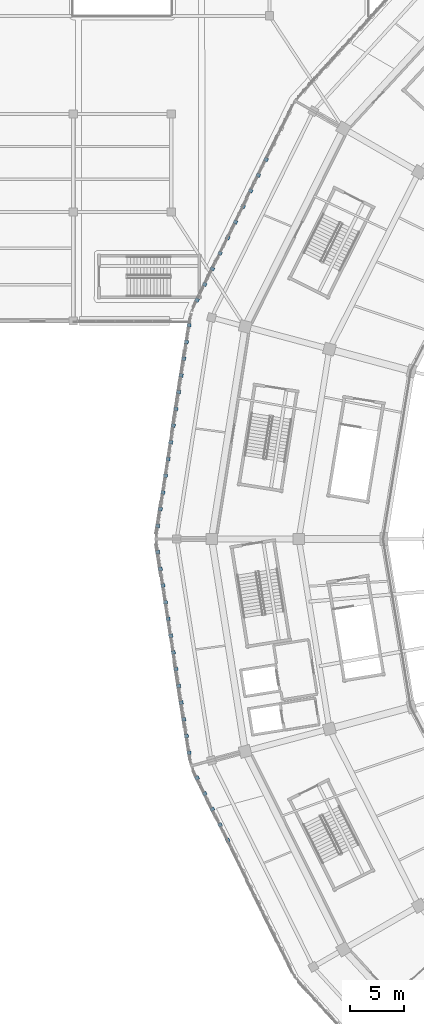
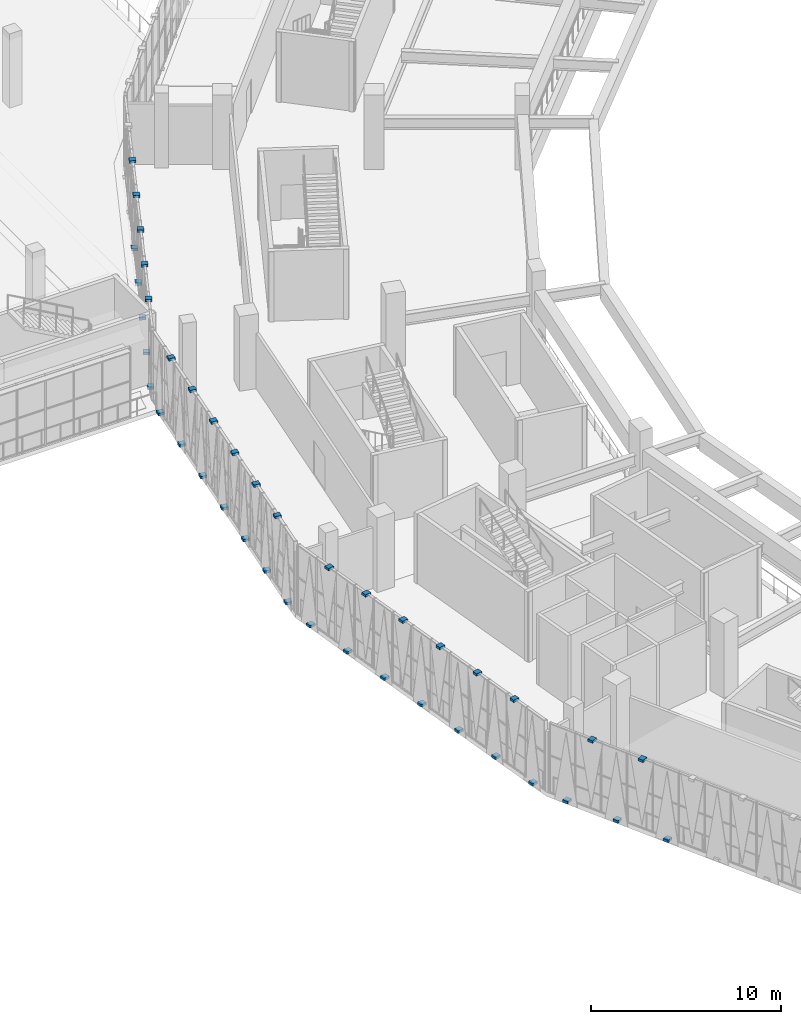
# One storey, part 120 of 179: 41 discrete accessories.
"""IFC4 building model written with IfcOpenShell, lengths in metres."""

from ifc_helpers import new_model, si_unit, direction, frame, origin, origin_2d, place, context, subcontext, project, spatial, rectangle, extrude, material, layer, layer_set, type_object, element, save


model = new_model("IFC4")

# Units and contexts
model_context = context("Model", 3, precision=1e-05, world=origin(), true_north=direction((0.0, 1.0)))
body_context = subcontext(model_context, "Body", "Model", "MODEL_VIEW")
ifc_project = project(units=[si_unit("LENGTHUNIT", "METRE"), si_unit("AREAUNIT", "SQUARE_METRE"), si_unit("VOLUMEUNIT", "CUBIC_METRE"), si_unit("PLANEANGLEUNIT", "RADIAN"), si_unit("MASSUNIT", "GRAM", prefix="KILO")], contexts=[model_context])

# Site, building, storey
site_placement = place(None, origin())
site = spatial("IfcSite", under=ifc_project, at=site_placement, CompositionType="ELEMENT")
building_placement = place(site_placement, origin())
building = spatial("IfcBuilding", under=site, at=building_placement, Name="Zevraka Park Crest Stadium", CompositionType="ELEMENT")
storey_placement = place(building_placement, frame((0.0, 0.0, 10.199951171875)))
storey = spatial("IfcBuildingStorey", under=building, at=storey_placement, Name="L02", CompositionType="ELEMENT", Elevation=10.199951171875)

# Discrete accessories
ifc_material = material(Name="Galvanised steel bracketry", Category="steel")
ifc_layer = layer(ifc_material, 0.1201171875)
ifc_layer_set = layer_set([ifc_layer], Name="Galvanised steel bracketry")
discrete_accessory_type = type_object("IfcDiscreteAccessoryType", Name="BRK01", PredefinedType="BRACKET", material=ifc_layer_set)
for number, where, z_axis, x_axis, name in (
    (1, (26.68896484375, 126.81005859375, 4.35986328125), (0.0, 0.0, 1.0), (-0.441035988909, -0.897489418593, 0.0), "Bronze Screen Carrier Bracket BRK01 L02-10-4"),
    (2, (25.985107421875, 125.37890625, -0.15966796875), (0.0, 0.0, 1.0), (-0.441035988909, -0.897489418593, 0.0), "Bronze Screen Carrier Bracket BRK01 L02-10-5"),
    (3, (25.281982421875, 123.947998046875, 4.35986328125), (0.0, 0.0, 1.0), (-0.441035988909, -0.897489418593, 0.0), "Bronze Screen Carrier Bracket BRK01 L02-10-6"),
    (4, (24.5791015625, 122.51611328125, -0.15966796875), (0.0, 0.0, 1.0), (-0.441035988909, -0.897489418593, 0.0), "Bronze Screen Carrier Bracket BRK01 L02-10-7"),
    (5, (23.875, 121.0849609375, 4.35986328125), (0.0, 0.0, 1.0), (-0.441035988909, -0.897489418593, 0.0), "Bronze Screen Carrier Bracket BRK01 L02-10-8"),
    (6, (23.172119140625, 119.654052734375, -0.15966796875), (0.0, 0.0, 1.0), (-0.441035988909, -0.897489418593, 0.0), "Bronze Screen Carrier Bracket BRK01 L02-10-9"),
    (7, (22.468017578125, 118.222900390625, 4.35986328125), (0.0, 0.0, 1.0), (-0.441035988909, -0.897489418593, 0.0), "Bronze Screen Carrier Bracket BRK01 L02-10-10"),
    (8, (21.764892578125, 116.791015625, -0.15966796875), (0.0, 0.0, 1.0), (-0.441035988909, -0.897489418593, 0.0), "Bronze Screen Carrier Bracket BRK01 L02-10-11"),
    (9, (21.06201171875, 115.360107421875, 4.35986328125), (0.0, 0.0, 1.0), (-0.441035988909, -0.897489418593, 0.0), "Bronze Screen Carrier Bracket BRK01 L02-10-12"),
    (10, (20.35791015625, 113.928955078125, -0.15966796875), (0.0, 0.0, 1.0), (-0.441035988909, -0.897489418593, 0.0), "Bronze Screen Carrier Bracket BRK01 L02-10-13"),
    (11, (19.6240234375, 111.614013671875, -0.15966796875), (0.0, 0.0, 1.0), (-0.15436551383, -0.988013809691, 0.0), "Bronze Screen Carrier Bracket BRK01 L02-11-1"),
    (12, (19.384033203125, 110.080078125, 4.35986328125), (0.0, 0.0, 1.0), (-0.15436551383, -0.988013809691, 0.0), "Bronze Screen Carrier Bracket BRK01 L02-11-2"),
    (13, (19.14404296875, 108.5458984375, -0.15966796875), (0.0, 0.0, 1.0), (-0.15436551383, -0.988013809691, 0.0), "Bronze Screen Carrier Bracket BRK01 L02-11-3"),
    (14, (18.905029296875, 107.010986328125, 4.35986328125), (0.0, 0.0, 1.0), (-0.15436551383, -0.988013809691, 0.0), "Bronze Screen Carrier Bracket BRK01 L02-11-4"),
    (15, (18.6650390625, 105.47705078125, -0.15966796875), (0.0, 0.0, 1.0), (-0.15436551383, -0.988013809691, 0.0), "Bronze Screen Carrier Bracket BRK01 L02-11-5"),
    (16, (18.426025390625, 103.943115234375, 4.35986328125), (0.0, 0.0, 1.0), (-0.15436551383, -0.988013809691, 0.0), "Bronze Screen Carrier Bracket BRK01 L02-11-6"),
    (17, (18.18603515625, 102.408935546875, -0.15966796875), (0.0, 0.0, 1.0), (-0.15436551383, -0.988013809691, 0.0), "Bronze Screen Carrier Bracket BRK01 L02-11-7"),
    (18, (17.946044921875, 100.8740234375, 4.35986328125), (0.0, 0.0, 1.0), (-0.15436551383, -0.988013809691, 0.0), "Bronze Screen Carrier Bracket BRK01 L02-11-8"),
    (19, (17.70703125, 99.340087890625, -0.15966796875), (0.0, 0.0, 1.0), (-0.15436551383, -0.988013809691, 0.0), "Bronze Screen Carrier Bracket BRK01 L02-11-9"),
    (20, (17.467041015625, 97.805908203125, 4.35986328125), (0.0, 0.0, 1.0), (-0.15436551383, -0.988013809691, 0.0), "Bronze Screen Carrier Bracket BRK01 L02-11-10"),
    (21, (17.22802734375, 96.27099609375, -0.15966796875), (0.0, 0.0, 1.0), (-0.15436551383, -0.988013809691, 0.0), "Bronze Screen Carrier Bracket BRK01 L02-11-11"),
    (22, (16.988037109375, 94.737060546875, 4.35986328125), (0.0, 0.0, 1.0), (-0.15436551383, -0.988013809691, 0.0), "Bronze Screen Carrier Bracket BRK01 L02-11-12"),
    (23, (16.748046875, 93.202880859375, -0.15966796875), (0.0, 0.0, 1.0), (-0.15436551383, -0.988013809691, 0.0), "Bronze Screen Carrier Bracket BRK01 L02-11-13"),
    (24, (16.748046875, 90.797119140625, -0.15966796875), (0.0, 0.0, 1.0), (0.15436551383, -0.988013809691, 0.0), "Bronze Screen Carrier Bracket BRK01 L02-12-1"),
    (25, (16.988037109375, 89.262939453125, 4.35986328125), (0.0, 0.0, 1.0), (0.15436551383, -0.988013809691, 0.0), "Bronze Screen Carrier Bracket BRK01 L02-12-2"),
    (26, (17.22802734375, 87.72900390625, -0.15966796875), (0.0, 0.0, 1.0), (0.15436551383, -0.988013809691, 0.0), "Bronze Screen Carrier Bracket BRK01 L02-12-3"),
    (27, (17.467041015625, 86.194091796875, 4.35986328125), (0.0, 0.0, 1.0), (0.15436551383, -0.988013809691, 0.0), "Bronze Screen Carrier Bracket BRK01 L02-12-4"),
    (28, (17.70703125, 84.659912109375, -0.15966796875), (0.0, 0.0, 1.0), (0.15436551383, -0.988013809691, 0.0), "Bronze Screen Carrier Bracket BRK01 L02-12-5"),
    (29, (17.946044921875, 83.1259765625, 4.35986328125), (0.0, 0.0, 1.0), (0.15436551383, -0.988013809691, 0.0), "Bronze Screen Carrier Bracket BRK01 L02-12-6"),
    (30, (18.18603515625, 81.592041015625, -0.15966796875), (0.0, 0.0, 1.0), (0.15436551383, -0.988013809691, 0.0), "Bronze Screen Carrier Bracket BRK01 L02-12-7"),
    (31, (18.426025390625, 80.056884765625, 4.35986328125), (0.0, 0.0, 1.0), (0.15436551383, -0.988013809691, 0.0), "Bronze Screen Carrier Bracket BRK01 L02-12-8"),
    (32, (18.6650390625, 78.52294921875, -0.15966796875), (0.0, 0.0, 1.0), (0.15436551383, -0.988013809691, 0.0), "Bronze Screen Carrier Bracket BRK01 L02-12-9"),
    (33, (18.905029296875, 76.989013671875, 4.35986328125), (0.0, 0.0, 1.0), (0.15436551383, -0.988013809691, 0.0), "Bronze Screen Carrier Bracket BRK01 L02-12-10"),
    (34, (19.14404296875, 75.4541015625, -0.15966796875), (0.0, 0.0, 1.0), (0.15436551383, -0.988013809691, 0.0), "Bronze Screen Carrier Bracket BRK01 L02-12-11"),
    (35, (19.384033203125, 73.919921875, 4.35986328125), (0.0, 0.0, 1.0), (0.15436551383, -0.988013809691, 0.0), "Bronze Screen Carrier Bracket BRK01 L02-12-12"),
    (36, (19.6240234375, 72.385986328125, -0.15966796875), (0.0, 0.0, 1.0), (0.15436551383, -0.988013809691, 0.0), "Bronze Screen Carrier Bracket BRK01 L02-12-13"),
    (37, (20.35791015625, 70.071044921875, -0.15966796875), (0.0, 0.0, 1.0), (0.441035988909, -0.897489418593, 0.0), "Bronze Screen Carrier Bracket BRK01 L02-13-1"),
    (38, (21.06201171875, 68.639892578125, 4.35986328125), (0.0, 0.0, 1.0), (0.441035988909, -0.897489418593, 0.0), "Bronze Screen Carrier Bracket BRK01 L02-13-2"),
    (39, (21.764892578125, 67.208984375, -0.15966796875), (0.0, 0.0, 1.0), (0.441035988909, -0.897489418593, 0.0), "Bronze Screen Carrier Bracket BRK01 L02-13-3"),
    (40, (22.468017578125, 65.777099609375, 4.35986328125), (0.0, 0.0, 1.0), (0.441035988909, -0.897489418593, 0.0), "Bronze Screen Carrier Bracket BRK01 L02-13-4"),
    (41, (23.172119140625, 64.345947265625, -0.15966796875), (0.0, 0.0, 1.0), (0.441035988909, -0.897489418593, 0.0), "Bronze Screen Carrier Bracket BRK01 L02-13-5"),
):
    element("IfcDiscreteAccessory", number, at=place(storey_placement, frame(where, z_axis=z_axis, x_axis=x_axis)), inside=storey, type_object=discrete_accessory_type, Name=name, PredefinedType="BRACKET", context=body_context, shape_type="SweptSolid", body=[
        extrude(rectangle(XDim=0.320068359375, YDim=0.360107421875, at=origin_2d()), origin(), (0.0, 0.0, 1.0), 0.159912109375),
    ])

save(model, "model.ifc")
